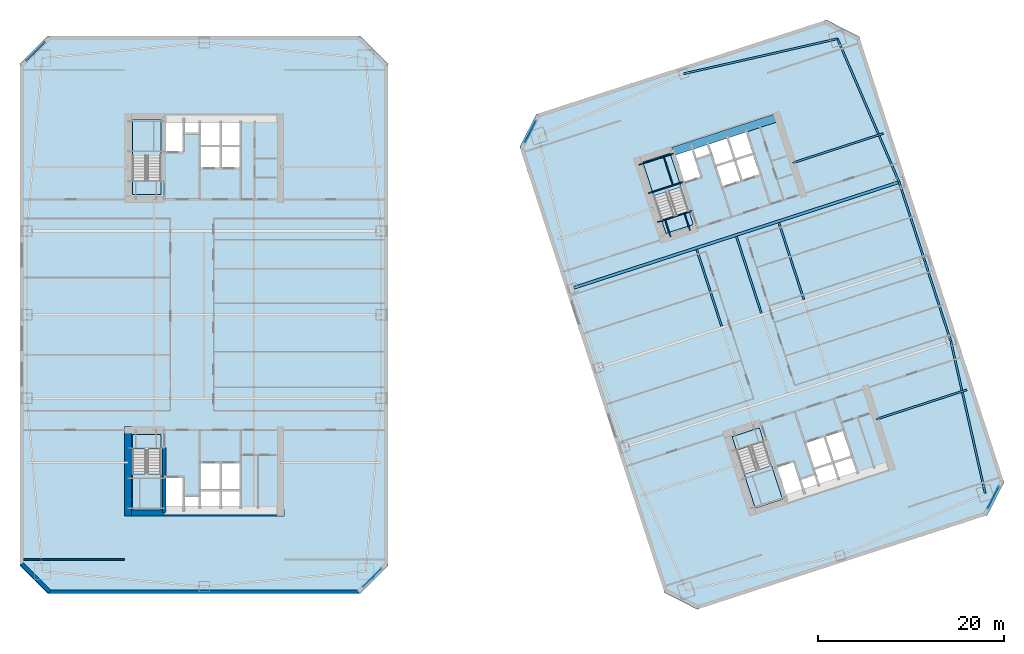
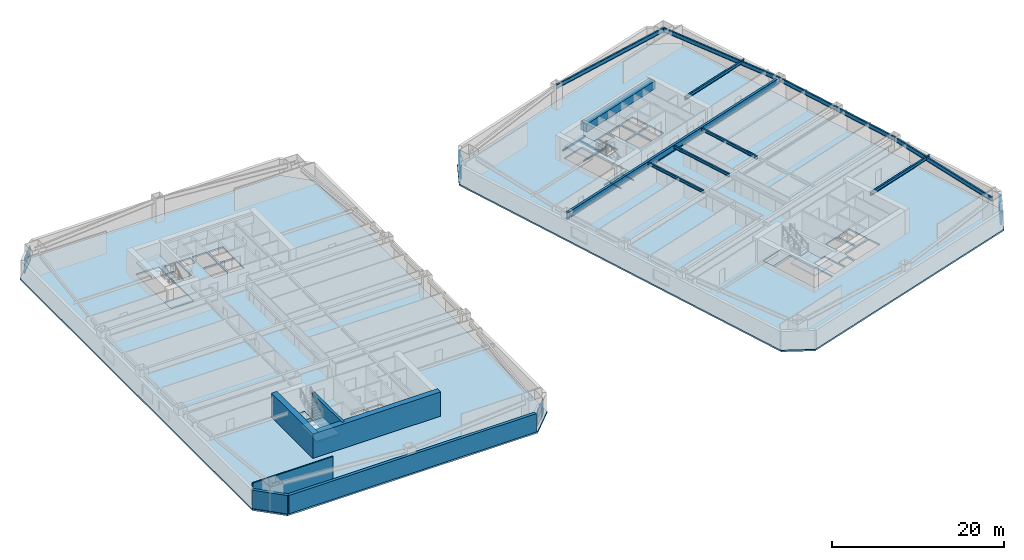
# One storey, part 9 of 19: 18 beams, 10 slabs, 8 plates, 6 walls, 8 elements without a shape of their own.
"""IFC4 building model written with IfcOpenShell, lengths in metres."""

import ifcopenshell
import ifcopenshell.guid

model = None  # the IFC model being written
_history = None  # IfcOwnerHistory: only IFC2X3 demands one
_inside = {}  # id of a spatial element -> (the spatial element, [elements in it])
_under = {}  # id of a project, library or spatial element -> (it, [spatial elements below it])
_declared = {}  # id of a project -> (the project, [libraries it declares])
_typed = {}  # id of a type object -> (the type object, [elements of that type])
_made_of = {}  # id of a material, layer set ... -> (it, [elements and type objects made of it])


def new_model(schema):
    """Start an empty IFC model of exactly this schema.

    Asked for "IFC4X3", IfcOpenShell would pick the latest addendum, in which some entities
    have other attributes; the version numbers below select the first issue.
    IFC2X3 requires an IfcOwnerHistory on every rooted entity: one is made here for all.
    """
    global model, _history
    if schema == "IFC4X3":
        model = ifcopenshell.file(schema_version=(4, 3, 0, 0))
    else:
        model = ifcopenshell.file(schema=schema)
    _inside.clear()
    _under.clear()
    _declared.clear()
    _typed.clear()
    _made_of.clear()
    _history = None
    if model.schema == "IFC2X3":
        org = make("IfcOrganization", Name="unknown")
        user = make(
            "IfcPersonAndOrganization",
            ThePerson=make("IfcPerson", FamilyName="unknown"),
            TheOrganization=org,
        )
        app = make(
            "IfcApplication",
            ApplicationDeveloper=org,
            Version="unknown",
            ApplicationFullName="unknown",
            ApplicationIdentifier="unknown",
        )
        _history = make(
            "IfcOwnerHistory",
            OwningUser=user,
            OwningApplication=app,
            ChangeAction="ADDED",
            CreationDate=0,
        )
    return model


def make(cls, **values):
    """One entity of the class cls with the attributes given. An attribute that is None is left unset."""
    return model.create_entity(
        cls, **{name: value for name, value in values.items() if value is not None}
    )


def rooted(cls, **values):
    """An entity with a GlobalId (a new one), such as an element, a storey or a relation."""
    return make(cls, GlobalId=ifcopenshell.guid.new(), OwnerHistory=_history, **values)


def si_unit(unit_type, name, prefix=None):
    """IfcSIUnit, for example si_unit("LENGTHUNIT", "METRE", prefix="MILLI")."""
    return make("IfcSIUnit", UnitType=unit_type, Prefix=prefix, Name=name)


def assignment(units):
    """IfcUnitAssignment: the units of a project."""
    return None if units is None else make("IfcUnitAssignment", Units=units)


def point(xyz):
    """IfcCartesianPoint."""
    return None if xyz is None else make("IfcCartesianPoint", Coordinates=xyz)


def direction(xyz):
    """IfcDirection."""
    return None if xyz is None else make("IfcDirection", DirectionRatios=xyz)


def frame(location, z_axis=None, x_axis=None):
    """IfcAxis2Placement3D, a coordinate frame: its origin and axes. An axis left out is left unset."""
    return make(
        "IfcAxis2Placement3D",
        Location=point(location),
        Axis=direction(z_axis),
        RefDirection=direction(x_axis),
    )


def frame_2d(location, x_axis=None):
    """IfcAxis2Placement2D, a coordinate frame in the plane: its origin and x axis."""
    return make(
        "IfcAxis2Placement2D", Location=point(location), RefDirection=direction(x_axis)
    )


def origin():
    """The frame at (0, 0, 0) with its axes left unset."""
    return frame((0.0, 0.0, 0.0))


def origin_2d():
    """The frame at (0, 0) in the plane with its x axis left unset."""
    return frame_2d((0.0, 0.0))


def place(relative_to, where):
    """IfcLocalPlacement: puts the frame where relative to a parent placement (None: the world)."""
    return make(
        "IfcLocalPlacement", PlacementRelTo=relative_to, RelativePlacement=where
    )


def context(
    kind, dimensions, precision=None, world=None, true_north=None, identifier=None
):
    """IfcGeometricRepresentationContext, for example the 3D "Model" context."""
    return make(
        "IfcGeometricRepresentationContext",
        ContextIdentifier=identifier,
        ContextType=kind,
        CoordinateSpaceDimension=dimensions,
        Precision=precision,
        WorldCoordinateSystem=world,
        TrueNorth=true_north,
    )


def subcontext(parent, identifier, kind, view, scale=None):
    """IfcGeometricRepresentationSubContext, for example "Body" below "Model"."""
    return make(
        "IfcGeometricRepresentationSubContext",
        ContextIdentifier=identifier,
        ContextType=kind,
        ParentContext=parent,
        TargetScale=scale,
        TargetView=view,
    )


def project(units=None, contexts=None):
    """IfcProject with its units and contexts."""
    return rooted(
        "IfcProject",
        Name="project",
        RepresentationContexts=contexts,
        UnitsInContext=assignment(units),
    )


def spatial(cls, under=None, at=None, **own):
    """A site, building, storey or space (cls), placed at a placement, below another one or the project."""
    s = rooted(cls, ObjectPlacement=at, **own)
    if under is not None:
        _under.setdefault(under.id(), (under, []))[1].append(s)
    return s


def polyline(points):
    """IfcPolyline through the points."""
    return make("IfcPolyline", Points=[point(p) for p in points])


def profile(cls, at=None, kind="AREA", **sizes):
    """A parametric profile (cls). Its sizes go by their IFC names, for example OverallWidth=200.0."""
    return make(cls, ProfileType=kind, Position=at, **sizes)


def rectangle(**sizes):
    """IfcRectangleProfileDef."""
    return profile("IfcRectangleProfileDef", **sizes)


def i_section(**sizes):
    """IfcIShapeProfileDef."""
    return profile("IfcIShapeProfileDef", **sizes)


def outline(outer, holes=None, kind="AREA"):
    """IfcArbitraryClosedProfileDef: a profile drawn as a closed curve; with holes, ...WithVoids."""
    if holes is None:
        return make("IfcArbitraryClosedProfileDef", ProfileType=kind, OuterCurve=outer)
    return make(
        "IfcArbitraryProfileDefWithVoids",
        ProfileType=kind,
        OuterCurve=outer,
        InnerCurves=holes,
    )


def extrude(swept, where, along, depth):
    """IfcExtrudedAreaSolid: the profile swept, set in the frame where, extruded along a direction by depth."""
    return make(
        "IfcExtrudedAreaSolid",
        SweptArea=swept,
        Position=where,
        ExtrudedDirection=direction(along),
        Depth=depth,
    )


def shape(context_of_items, identifier, shape_type, items):
    """IfcShapeRepresentation: the items that make up one representation, for example the "Body"."""
    return make(
        "IfcShapeRepresentation",
        ContextOfItems=context_of_items,
        RepresentationIdentifier=identifier,
        RepresentationType=shape_type,
        Items=items,
    )


def material(Name=None, Category=None):
    """IfcMaterial."""
    return make("IfcMaterial", Name=Name, Category=Category)


def layer(
    of_material, thickness, ventilated=None, Name=None, Category=None, Priority=None
):
    """IfcMaterialLayer: one layer of a wall or slab, of a material (None: an air gap)."""
    return make(
        "IfcMaterialLayer",
        Material=of_material,
        LayerThickness=thickness,
        IsVentilated=ventilated,
        Name=Name,
        Category=Category,
        Priority=Priority,
    )


def layer_set(layers, Name=None):
    """IfcMaterialLayerSet."""
    return make("IfcMaterialLayerSet", MaterialLayers=layers, LayerSetName=Name)


def material_profile(
    of_material, cross_section, Name=None, Category=None, Priority=None
):
    """IfcMaterialProfile: a cross section and its material."""
    return make(
        "IfcMaterialProfile",
        Name=Name,
        Material=of_material,
        Profile=cross_section,
        Priority=Priority,
        Category=Category,
    )


def profile_set(profiles, Name=None, composite=None):
    """IfcMaterialProfileSet."""
    return make(
        "IfcMaterialProfileSet",
        Name=Name,
        MaterialProfiles=profiles,
        CompositeProfile=composite,
    )


def made_of(thing, what):
    """Note that an element or type object is made of a material, layer set ...; save() writes the relation."""
    if what is not None:
        _made_of.setdefault(what.id(), (what, []))[1].append(thing)
    return thing


def type_object(cls, material=None, **own):
    """A type object (cls), such as IfcWallType, which elements share."""
    return made_of(rooted(cls, **own), material)


def element(
    cls,
    number,
    at=None,
    inside=None,
    cuts=None,
    type_object=None,
    material=None,
    context=None,
    identifier="Body",
    shape_type=None,
    held_by="IfcProductDefinitionShape",
    body=None,
    shapes=None,
    **own,
):
    """One element of the class cls, such as IfcWall. Its Tag is "e" and its number.

    at: its placement. inside: the storey or other place that contains it. cuts: it is an
    opening in that element (IfcRelVoidsElement). A single representation is given by context,
    identifier, shape_type and body (its items); several are given by shapes. held_by: the class
    of the entity that holds the representations. save() writes the other relations.
    """
    e = rooted(cls, Tag="e%d" % number, ObjectPlacement=at, **own)
    if body is not None:
        shapes = [shape(context, identifier, shape_type, body)]
    if shapes is not None:
        e.Representation = make(held_by, Representations=shapes)
    if inside is not None:
        _inside.setdefault(inside.id(), (inside, []))[1].append(e)
    if cuts is not None:
        rooted(
            "IfcRelVoidsElement", RelatingBuildingElement=cuts, RelatedOpeningElement=e
        )
    if type_object is not None:
        _typed.setdefault(type_object.id(), (type_object, []))[1].append(e)
    return made_of(e, material)


def aggregate(whole, parts):
    """IfcRelAggregates: a whole, such as a stair, and the parts it consists of."""
    return rooted("IfcRelAggregates", RelatingObject=whole, RelatedObjects=parts)


def save(model, path):
    """Write the relations noted so far, then the file.

    IfcRelAggregates (storeys below a building ...), IfcRelContainedInSpatialStructure (elements
    in a storey), IfcRelDefinesByType, IfcRelAssociatesMaterial and IfcRelDeclares: one each for
    every whole, place, type object, material and project.
    """
    for whole, parts in _under.values():
        aggregate(whole, parts)
    for where, things in _inside.values():
        rooted(
            "IfcRelContainedInSpatialStructure",
            RelatedElements=things,
            RelatingStructure=where,
        )
    for kind, things in _typed.values():
        rooted("IfcRelDefinesByType", RelatedObjects=things, RelatingType=kind)
    for what, things in _made_of.values():
        rooted("IfcRelAssociatesMaterial", RelatedObjects=things, RelatingMaterial=what)
    for by, libraries in _declared.values():
        rooted("IfcRelDeclares", RelatingContext=by, RelatedDefinitions=libraries)
    model.write(path)


model = new_model("IFC4")

# Units and contexts
model_context = context("Model", 3, precision=1e-05, world=origin(), true_north=direction((0.0, 1.0)))
body_context = subcontext(model_context, "Body", "Model", "MODEL_VIEW")
ifc_project = project(units=[si_unit("LENGTHUNIT", "METRE"), si_unit("AREAUNIT", "SQUARE_METRE"), si_unit("VOLUMEUNIT", "CUBIC_METRE"), si_unit("PLANEANGLEUNIT", "RADIAN"), si_unit("MASSUNIT", "GRAM", prefix="KILO")], contexts=[model_context])

# Site, building, storey
site_placement = place(None, origin())
site = spatial("IfcSite", under=ifc_project, at=site_placement, CompositionType="ELEMENT")
building_placement = place(site_placement, origin())
building = spatial("IfcBuilding", under=site, at=building_placement, Name="Qiaolan Cultural Towers", CompositionType="ELEMENT")
storey_placement = place(building_placement, frame((0.0, 0.0, 54.050048828125)))
storey = spatial("IfcBuildingStorey", under=building, at=storey_placement, Name="L12", CompositionType="ELEMENT", Elevation=54.050048828125)

# Beams
ifc_material_1 = material(Name="Steel Q355B", Category="steel")
ifc_material_profile_1 = material_profile(ifc_material_1, i_section(OverallWidth=0.300048828125, OverallDepth=0.89990234375, WebThickness=0.01611328125, FlangeThickness=0.028076171875, at=origin_2d()), Name="HN900x300x16x28")
ifc_profile_set_1 = profile_set([ifc_material_profile_1], Name="Steel Q355B")
beam_type_1 = type_object("IfcBeamType", Name="BM-HN900x300x16x28", PredefinedType="BEAM", material=ifc_profile_set_1)
beam_1_placement = place(storey_placement, frame((69.671875, 36.858154296875, 2.739990234375), z_axis=(0.951055702987, 0.309019497469, 0.0), x_axis=(-0.309019497469, 0.951055702987, 0.0)))
element("IfcBeam", 1, at=beam_1_placement, inside=storey, type_object=beam_type_1, Name="L12 T2 Primary Transverse Girder V3", PredefinedType="BEAM", context=body_context, shape_type="SweptSolid", body=[
    extrude(i_section(OverallWidth=0.300048828125, OverallDepth=0.89990234375, WebThickness=0.01611328125, FlangeThickness=0.028076171875, at=origin_2d()), origin(), (0.0, 0.0, 1.0), 36.900146484375),
])
ifc_material_2 = material(Name="Steel Q355B", Category="steel")
ifc_material_profile_2 = material_profile(ifc_material_2, i_section(OverallWidth=0.199951171875, OverallDepth=0.39990234375, WebThickness=0.008056640625, FlangeThickness=0.012939453125, at=origin_2d()), Name="HN400x200x8x13")
ifc_profile_set_2 = profile_set([ifc_material_profile_2], Name="Steel Q355B")
beam_type_2 = type_object("IfcBeamType", Name="BM-JST-HN400x200x8x13", PredefinedType="JOIST", material=ifc_profile_set_2)
for number, where, z_axis, x_axis, name in (
    (2, (85.673828125, 32.752197265625, 2.989990234375), (-0.309020714809, 0.951055307445, 0.0), (-0.951055307445, -0.309020714809, 0.0), "L12 T2 Secondary Floor Joist U1-3"),
    (3, (89.95361328125, 34.142578125, 2.989990234375), (-0.309020714809, 0.951055307445, 0.0), (-0.951055307445, -0.309020714809, 0.0), "L12 T2 Secondary Floor Joist U2-3"),
    (4, (94.518798828125, 35.6259765625, 2.989990234375), (-0.309020714809, 0.951055307445, 0.0), (-0.951055307445, -0.309020714809, 0.0), "L12 T2 Secondary Floor Joist U3-3"),
):
    element("IfcBeam", number, at=place(storey_placement, frame(where, z_axis=z_axis, x_axis=x_axis)), inside=storey, type_object=beam_type_2, Name=name, PredefinedType="JOIST", context=body_context, shape_type="SweptSolid", body=[
        extrude(i_section(OverallWidth=0.199951171875, OverallDepth=0.39990234375, WebThickness=0.008056640625, FlangeThickness=0.012939453125, at=origin_2d()), origin(), (0.0, 0.0, 1.0), 8.699951171875),
    ])
ifc_material_3 = material(Name="Steel Q355B", Category="steel")
ifc_material_profile_3 = material_profile(ifc_material_3, i_section(OverallWidth=0.199951171875, OverallDepth=0.449951171875, WebThickness=0.009033203125, FlangeThickness=0.013916015625, at=origin_2d()), Name="HN450x200x9x14")
ifc_profile_set_3 = profile_set([ifc_material_profile_3], Name="Steel Q355B")
beam_type_3 = type_object("IfcBeamType", Name="BM-LNT-HN450x200x9x14", PredefinedType="LINTEL", material=ifc_profile_set_3)
beam_2_placement = place(storey_placement, frame((102.279296875, 22.74365234375, 2.96484375), z_axis=(0.951056820587, 0.309016057859, 0.0), x_axis=(-0.309016057859, 0.951056820587, 0.0)))
element("IfcBeam", 5, at=beam_2_placement, inside=storey, type_object=beam_type_3, Name="L12 T2 Core Flank Tie Lintel ES", PredefinedType="LINTEL", context=body_context, shape_type="SweptSolid", body=[
    extrude(i_section(OverallWidth=0.199951171875, OverallDepth=0.449951171875, WebThickness=0.009033203125, FlangeThickness=0.013916015625, at=origin_2d()), origin(), (0.0, 0.0, 1.0), 10.250244140625),
])
beam_3_placement = place(storey_placement, frame((93.31787109375, 50.32421875, 2.96484375), z_axis=(0.951054546097, 0.309023057955, 0.0), x_axis=(-0.309023057955, 0.951054546097, 0.0)))
element("IfcBeam", 6, at=beam_3_placement, inside=storey, type_object=beam_type_3, Name="L12 T2 Core Flank Tie Lintel EN", PredefinedType="LINTEL", context=body_context, shape_type="SweptSolid", body=[
    extrude(i_section(OverallWidth=0.199951171875, OverallDepth=0.449951171875, WebThickness=0.009033203125, FlangeThickness=0.013916015625, at=origin_2d()), origin(), (0.0, 0.0, 1.0), 10.25),
])
ifc_material_4 = material(Name="Concrete C50", Category="concrete")
ifc_material_profile_4 = material_profile(ifc_material_4, rectangle(XDim=0.89990234375, YDim=1.10009765625, at=origin_2d()), Name="RC900x1100")
ifc_profile_set_4 = profile_set([ifc_material_profile_4], Name="Concrete C50")
beam_type_4 = type_object("IfcBeamType", Name="BM-RC900x1100", PredefinedType="BEAM", material=ifc_profile_set_4)
beam_4_placement = place(storey_placement, frame((80.427978515625, 51.551025390625, 2.639892578125), z_axis=(0.951056266386, 0.309017763514, 0.0), x_axis=(-0.309017763514, 0.951056266386, 0.0)))
element("IfcBeam", 7, at=beam_4_placement, inside=storey, type_object=beam_type_4, Name="L12 T2 Core Header Girder N", PredefinedType="BEAM", context=body_context, shape_type="SweptSolid", body=[
    extrude(rectangle(XDim=0.89990234375, YDim=1.10009765625, at=origin_2d()), origin(), (0.0, 0.0, 1.0), 11.880126953125),
])
ifc_material_5 = material(Name="Steel Q355B", Category="steel")
ifc_material_profile_5 = material_profile(ifc_material_5, i_section(OverallWidth=0.199951171875, OverallDepth=0.60009765625, WebThickness=0.010986328125, FlangeThickness=0.01708984375, at=origin_2d()), Name="HN600x200x11x17")
ifc_profile_set_5 = profile_set([ifc_material_profile_5], Name="Steel Q355B")
beam_type_5 = type_object("IfcBeamType", Name="BM-SPD-HN600x200x11x17", PredefinedType="SPANDREL", material=ifc_profile_set_5)
beam_5_placement = place(storey_placement, frame((114.027099609375, 14.77392578125, 2.889892578125), z_axis=(-0.220430557386, 0.975402670373, 0.0), x_axis=(-0.975402670373, -0.220430557386, 0.0)))
element("IfcBeam", 8, at=beam_5_placement, inside=storey, type_object=beam_type_5, Name="L12 T2 Perimeter Spandrel Beam 3", PredefinedType="SPANDREL", context=body_context, shape_type="SweptSolid", body=[
    extrude(i_section(OverallWidth=0.199951171875, OverallDepth=0.60009765625, WebThickness=0.010986328125, FlangeThickness=0.01708984375, at=origin_2d()), origin(), (0.0, 0.0, 1.0), 16.78076171875),
])
for number, where, z_axis, x_axis, name in (
    (9, (110.328125, 31.141845703125, 2.889892578125), (-0.309024734286, 0.951054001411, 0.0), (-0.951054001411, -0.309024734286, 0.0), "L12 T2 Perimeter Spandrel Beam 4"),
    (10, (107.546875, 39.701416015625, 2.889892578125), (-0.309000197986, 0.951061973609, 0.0), (-0.951061973609, -0.309000197986, 0.0), "L12 T2 Perimeter Spandrel Beam 5"),
):
    element("IfcBeam", number, at=place(storey_placement, frame(where, z_axis=z_axis, x_axis=x_axis)), inside=storey, type_object=beam_type_5, Name=name, PredefinedType="SPANDREL", context=body_context, shape_type="SweptSolid", body=[
        extrude(i_section(OverallWidth=0.199951171875, OverallDepth=0.60009765625, WebThickness=0.010986328125, FlangeThickness=0.01708984375, at=origin_2d()), origin(), (0.0, 0.0, 1.0), 9.0),
    ])
beam_6_placement = place(storey_placement, frame((104.765869140625, 48.260986328125, 2.889892578125), z_axis=(-0.394998896054, 0.918681594524, 0.0), x_axis=(-0.918681594524, -0.394998896054, 0.0)))
element("IfcBeam", 11, at=beam_6_placement, inside=storey, type_object=beam_type_5, Name="L12 T2 Perimeter Spandrel Beam 6", PredefinedType="SPANDREL", context=body_context, shape_type="SweptSolid", body=[
    extrude(i_section(OverallWidth=0.199951171875, OverallDepth=0.60009765625, WebThickness=0.010986328125, FlangeThickness=0.01708984375, at=origin_2d()), origin(), (0.0, 0.0, 1.0), 16.78076171875),
])
beam_7_placement = place(storey_placement, frame((98.137451171875, 63.67724609375, 2.889892578125), z_axis=(-0.975161095889, -0.221496810506, 0.0), x_axis=(0.221496810506, -0.975161095889, 0.0)))
element("IfcBeam", 12, at=beam_7_placement, inside=storey, type_object=beam_type_5, Name="L12 T2 Perimeter Spandrel Beam 7", PredefinedType="SPANDREL", context=body_context, shape_type="SweptSolid", body=[
    extrude(i_section(OverallWidth=0.199951171875, OverallDepth=0.60009765625, WebThickness=0.010986328125, FlangeThickness=0.01708984375, at=origin_2d()), origin(), (0.0, 0.0, 1.0), 16.97998046875),
])
ifc_material_6 = material(Name="Steel Q355B", Category="steel")
ifc_material_profile_6 = material_profile(ifc_material_6, i_section(OverallWidth=0.10009765625, OverallDepth=0.199951171875, WebThickness=0.005615234375, FlangeThickness=0.008056640625, at=origin_2d()), Name="HN200x100x5.5x8")
ifc_profile_set_6 = profile_set([ifc_material_profile_6], Name="Steel Q355B")
beam_type_6 = type_object("IfcBeamType", Name="BM-STTRIM-200", PredefinedType="BEAM", material=ifc_profile_set_6)
beam_8_placement = place(storey_placement, frame((78.773193359375, 43.958251953125, -0.4599609375), z_axis=(0.951072048947, 0.3089691857, 0.0), x_axis=(-0.3089691857, 0.951072048947, 0.0)))
element("IfcBeam", 13, at=beam_8_placement, inside=storey, type_object=beam_type_6, Name="L12 ST-E2 Floor Landing Header Beam", PredefinedType="BEAM", context=body_context, shape_type="SweptSolid", body=[
    extrude(i_section(OverallWidth=0.10009765625, OverallDepth=0.199951171875, WebThickness=0.005615234375, FlangeThickness=0.008056640625, at=origin_2d()), origin(), (0.0, 0.0, 1.0), 3.920166015625),
])
for number, where, z_axis, x_axis, name in (
    (14, (80.18115234375, 42.375732421875, -0.4599609375), (-0.308969394428, 0.951071981138, 0.0), (-0.951071981138, -0.308969394428, 0.0), "L12 ST-E2 Floor Landing Stringer 1"),
    (15, (82.2734375, 43.0556640625, -0.4599609375), (-0.308969394428, 0.951071981138, 0.0), (-0.951071981138, -0.308969394428, 0.0), "L12 ST-E2 Floor Landing Stringer 2"),
):
    element("IfcBeam", number, at=place(storey_placement, frame(where, z_axis=z_axis, x_axis=x_axis)), inside=storey, type_object=beam_type_6, Name=name, PredefinedType="BEAM", context=body_context, shape_type="SweptSolid", body=[
        extrude(i_section(OverallWidth=0.10009765625, OverallDepth=0.199951171875, WebThickness=0.005615234375, FlangeThickness=0.008056640625, at=origin_2d()), origin(), (0.0, 0.0, 1.0), 1.93994140625),
    ])
for number, where, z_axis, x_axis, name in (
    (16, (77.769287109375, 47.0478515625, 1.425048828125), (0.951053746643, 0.309025518358, 0.0), (-0.309025518358, 0.951053746643, 0.0), "L12 ST-E2 Stair Landing Support Beam 1-1"),
    (17, (76.770751953125, 50.12109375, 1.425048828125), (0.951072048947, 0.3089691857, 0.0), (-0.3089691857, 0.951072048947, 0.0), "L12 ST-E2 Stair Landing Support Beam 1-2"),
):
    element("IfcBeam", number, at=place(storey_placement, frame(where, z_axis=z_axis, x_axis=x_axis)), inside=storey, type_object=beam_type_6, Name=name, PredefinedType="BEAM", context=body_context, shape_type="SweptSolid", body=[
        extrude(i_section(OverallWidth=0.10009765625, OverallDepth=0.199951171875, WebThickness=0.005615234375, FlangeThickness=0.008056640625, at=origin_2d()), origin(), (0.0, 0.0, 1.0), 3.920166015625),
    ])
beam_9_placement = place(storey_placement, frame((80.44189453125, 47.916259765625, 1.425048828125), z_axis=(-0.309033108495, 0.951051280349, 0.0), x_axis=(-0.951051280349, -0.309033108495, 0.0)))
element("IfcBeam", 18, at=beam_9_placement, inside=storey, type_object=beam_type_6, Name="L12 ST-E2 Stair Landing Trimmer 1", PredefinedType="BEAM", context=body_context, shape_type="SweptSolid", body=[
    extrude(i_section(OverallWidth=0.10009765625, OverallDepth=0.199951171875, WebThickness=0.005615234375, FlangeThickness=0.008056640625, at=origin_2d()), origin(), (0.0, 0.0, 1.0), 3.231201171875),
])

# Curtain wall, plates
ifc_material_7 = material(Name="Unitized Anodized Aluminium Curtain Wall System", Category="aluminium")
ifc_layer_1 = layer(ifc_material_7, 0.199951171875)
ifc_layer_set_1 = layer_set([ifc_layer_1], Name="Unitized Anodized Aluminium Curtain Wall System")
curtain_wall_type = type_object("IfcCurtainWallType", Name="CWS-02", PredefinedType="NOTDEFINED", material=ifc_layer_set_1)
curtain_wall_1_placement = place(storey_placement, origin())
curtain_wall_1 = element("IfcCurtainWall", 19, at=curtain_wall_1_placement, inside=storey, type_object=curtain_wall_type, Name="L12 T1 Chamfer Wind-Corner Feature Curtain Wall 1", PredefinedType="NOTDEFINED")
ifc_material_8 = material(Name="Laminated Low-E Insulating Glass Unit", Category="glass")
ifc_layer_2 = layer(ifc_material_8, 0.035888671875)
ifc_layer_set_2 = layer_set([ifc_layer_2], Name="Laminated Low-E Insulating Glass Unit")
plate_type = type_object("IfcPlateType", Name="CWS-02-PNL", PredefinedType="CURTAIN_PANEL", material=ifc_layer_set_2)
plate_1_placement = place(storey_placement, frame((11.89990234375, 62.300048828125, 0.215087890625), z_axis=(0.0, 0.0, 1.0), x_axis=(0.707106781187, 0.707106781187, 0.0)))
plate_1 = element("IfcPlate", 20, at=plate_1_placement, type_object=plate_type, Name="CW-2 panel 1.1", PredefinedType="CURTAIN_PANEL", context=body_context, shape_type="SweptSolid", body=[
    extrude(rectangle(XDim=2.735107421875, YDim=0.035888671875, at=origin_2d()), origin(), (0.0, 0.0, 1.0), 1.00244140625),
])
plate_2_placement = place(storey_placement, frame((11.89990234375, 62.300048828125, 1.282470703125), z_axis=(0.0, 0.0, 1.0), x_axis=(0.707106781187, 0.707106781187, 0.0)))
plate_2 = element("IfcPlate", 21, at=plate_2_placement, type_object=plate_type, Name="CW-2 panel 1.2", PredefinedType="CURTAIN_PANEL", context=body_context, shape_type="SweptSolid", body=[
    extrude(rectangle(XDim=2.735107421875, YDim=0.035888671875, at=origin_2d()), origin(), (0.0, 0.0, 1.0), 1.16259765625),
])
aggregate(curtain_wall_1, [plate_1, plate_2])

curtain_wall_2_placement = place(storey_placement, origin())
curtain_wall_2 = element("IfcCurtainWall", 22, at=curtain_wall_2_placement, inside=storey, type_object=curtain_wall_type, Name="L12 T1 Chamfer Wind-Corner Feature Curtain Wall 2", PredefinedType="NOTDEFINED")
plate_3_placement = place(storey_placement, frame((48.10009765625, 5.699951171875, 0.215087890625), z_axis=(0.0, 0.0, 1.0), x_axis=(-0.707106781187, -0.707106781187, 0.0)))
plate_3 = element("IfcPlate", 23, at=plate_3_placement, type_object=plate_type, Name="CW-2 panel 1.1", PredefinedType="CURTAIN_PANEL", context=body_context, shape_type="SweptSolid", body=[
    extrude(rectangle(XDim=2.735107421875, YDim=0.035888671875, at=origin_2d()), origin(), (0.0, 0.0, 1.0), 1.00244140625),
])
plate_4_placement = place(storey_placement, frame((48.10009765625, 5.699951171875, 1.282470703125), z_axis=(0.0, 0.0, 1.0), x_axis=(-0.707106781187, -0.707106781187, 0.0)))
plate_4 = element("IfcPlate", 24, at=plate_4_placement, type_object=plate_type, Name="CW-2 panel 1.2", PredefinedType="CURTAIN_PANEL", context=body_context, shape_type="SweptSolid", body=[
    extrude(rectangle(XDim=2.735107421875, YDim=0.035888671875, at=origin_2d()), origin(), (0.0, 0.0, 1.0), 1.16259765625),
])
aggregate(curtain_wall_2, [plate_3, plate_4])

curtain_wall_3_placement = place(storey_placement, origin())
curtain_wall_3 = element("IfcCurtainWall", 25, at=curtain_wall_3_placement, inside=storey, type_object=curtain_wall_type, Name="L12 T2 Chamfer Wind-Corner Feature Curtain Wall 1", PredefinedType="NOTDEFINED")
plate_5_placement = place(storey_placement, frame((65.103271484375, 53.669189453125, 0.215087890625), z_axis=(0.0, 0.0, 1.0), x_axis=(0.45399042074, 0.89100656444, 0.0)))
plate_5 = element("IfcPlate", 26, at=plate_5_placement, type_object=plate_type, Name="CW-2 panel 1.1", PredefinedType="CURTAIN_PANEL", context=body_context, shape_type="SweptSolid", body=[
    extrude(rectangle(XDim=2.542724609375, YDim=0.035888671875, at=origin_2d()), origin(), (0.0, 0.0, 1.0), 1.00244140625),
])
plate_6_placement = place(storey_placement, frame((65.103271484375, 53.669189453125, 1.282470703125), z_axis=(0.0, 0.0, 1.0), x_axis=(0.45399042074, 0.89100656444, 0.0)))
plate_6 = element("IfcPlate", 27, at=plate_6_placement, type_object=plate_type, Name="CW-2 panel 1.2", PredefinedType="CURTAIN_PANEL", context=body_context, shape_type="SweptSolid", body=[
    extrude(rectangle(XDim=2.542724609375, YDim=0.035888671875, at=origin_2d()), origin(), (0.0, 0.0, 1.0), 1.16259765625),
])
aggregate(curtain_wall_3, [plate_5, plate_6])

curtain_wall_4_placement = place(storey_placement, origin())
curtain_wall_4 = element("IfcCurtainWall", 28, at=curtain_wall_4_placement, inside=storey, type_object=curtain_wall_type, Name="L12 T2 Chamfer Wind-Corner Feature Curtain Wall 2", PredefinedType="NOTDEFINED")
plate_7_placement = place(storey_placement, frame((114.896728515625, 14.330810546875, 0.215087890625), z_axis=(0.0, 0.0, 1.0), x_axis=(-0.45399042074, -0.89100656444, 0.0)))
plate_7 = element("IfcPlate", 29, at=plate_7_placement, type_object=plate_type, Name="CW-2 panel 1.1", PredefinedType="CURTAIN_PANEL", context=body_context, shape_type="SweptSolid", body=[
    extrude(rectangle(XDim=2.542724609375, YDim=0.035888671875, at=origin_2d()), origin(), (0.0, 0.0, 1.0), 1.00244140625),
])
plate_8_placement = place(storey_placement, frame((114.896728515625, 14.330810546875, 1.282470703125), z_axis=(0.0, 0.0, 1.0), x_axis=(-0.45399042074, -0.89100656444, 0.0)))
plate_8 = element("IfcPlate", 30, at=plate_8_placement, type_object=plate_type, Name="CW-2 panel 1.2", PredefinedType="CURTAIN_PANEL", context=body_context, shape_type="SweptSolid", body=[
    extrude(rectangle(XDim=2.542724609375, YDim=0.035888671875, at=origin_2d()), origin(), (0.0, 0.0, 1.0), 1.16259765625),
])
aggregate(curtain_wall_4, [plate_7, plate_8])

# Stair, slab
ifc_material_9 = material(Name="Concrete C45", Category="concrete")
stair_type = type_object("IfcStairType", Name="STR-CORE-1500", PredefinedType="HALF_TURN_STAIR", material=ifc_material_9)
stair_1_placement = place(storey_placement, origin())
stair_1 = element("IfcStair", 31, at=stair_1_placement, inside=storey, type_object=stair_type, Name="L12 Smokeproof Exit Stair ST-W1", PredefinedType="HALF_TURN_STAIR")
ifc_material_10 = material(Name="Concrete C45", Category="concrete")
ifc_layer_3 = layer(ifc_material_10, 0.199951171875)
ifc_layer_set_3 = layer_set([ifc_layer_3], Name="Concrete C45")
slab_type_1 = type_object("IfcSlabType", Name="SL-STAIR-LAND", PredefinedType="LANDING", material=ifc_layer_set_3)
slab_1_placement = place(storey_placement, frame((0.0, 0.0, 1.52490234375)))
slab_1 = element("IfcSlab", 32, at=slab_1_placement, type_object=slab_type_1, Name="ST-W1 landing 1", PredefinedType="LANDING", context=body_context, shape_type="SweptSolid", body=[
    extrude(outline(polyline([(22.300048828125, 16.851318359375), (22.300048828125, 13.0), (25.3798828125, 13.0), (25.3798828125, 16.851318359375), (22.300048828125, 16.851318359375)])), origin(), (0.0, 0.0, 1.0), 0.199951171875),
])
aggregate(stair_1, [slab_1])

stair_2_placement = place(storey_placement, origin())
stair_2 = element("IfcStair", 33, at=stair_2_placement, inside=storey, type_object=stair_type, Name="L12 Smokeproof Exit Stair ST-W2", PredefinedType="HALF_TURN_STAIR")
slab_2_placement = place(storey_placement, frame((0.0, 0.0, 1.52490234375)))
slab_2 = element("IfcSlab", 34, at=slab_2_placement, type_object=slab_type_1, Name="ST-W2 landing 1", PredefinedType="LANDING", context=body_context, shape_type="SweptSolid", body=[
    extrude(outline(polyline([(25.3798828125, 51.148681640625), (25.3798828125, 55.0), (22.300048828125, 55.0), (22.300048828125, 51.148681640625), (25.3798828125, 51.148681640625)])), origin(), (0.0, 0.0, 1.0), 0.199951171875),
])
aggregate(stair_2, [slab_2])

stair_3_placement = place(storey_placement, origin())
stair_3 = element("IfcStair", 35, at=stair_3_placement, inside=storey, type_object=stair_type, Name="L12 Smokeproof Exit Stair ST-E1", PredefinedType="HALF_TURN_STAIR")
slab_3_placement = place(storey_placement, frame((0.0, 0.0, 1.52490234375)))
slab_3 = element("IfcSlab", 36, at=slab_3_placement, type_object=slab_type_1, Name="ST-E1 landing 1", PredefinedType="LANDING", context=body_context, shape_type="SweptSolid", body=[
    extrude(outline(polyline([(88.114013671875, 16.828125), (89.30419921875, 13.165283203125), (92.2333984375, 14.116943359375), (91.04345703125, 17.77978515625), (88.114013671875, 16.828125)])), origin(), (0.0, 0.0, 1.0), 0.199951171875),
])
aggregate(stair_3, [slab_3])

stair_4_placement = place(storey_placement, origin())
stair_4 = element("IfcStair", 37, at=stair_4_placement, inside=storey, type_object=stair_type, Name="L12 Smokeproof Exit Stair ST-E2", PredefinedType="HALF_TURN_STAIR")
slab_4_placement = place(storey_placement, frame((0.0, 0.0, 1.52490234375)))
slab_4 = element("IfcSlab", 38, at=slab_4_placement, type_object=slab_type_1, Name="ST-E2 landing 1", PredefinedType="LANDING", context=body_context, shape_type="SweptSolid", body=[
    extrude(outline(polyline([(81.31005859375, 47.735595703125), (80.1201171875, 51.3984375), (77.190673828125, 50.44677734375), (78.380859375, 46.783935546875), (81.31005859375, 47.735595703125)])), origin(), (0.0, 0.0, 1.0), 0.199951171875),
])
aggregate(stair_4, [slab_4])

# Slabs
ifc_material_11 = material(Name="Concrete C40", Category="concrete")
ifc_layer_4 = layer(ifc_material_11, 0.360107421875)
ifc_layer_set_4 = layer_set([ifc_layer_4], Name="Concrete C40")
slab_type_2 = type_object("IfcSlabType", Name="SL-STFLR-360", PredefinedType="LANDING", material=ifc_layer_set_4)
slab_5_placement = place(storey_placement, frame((0.0, 0.0, -0.360107421875)))
element("IfcSlab", 39, at=slab_5_placement, inside=storey, type_object=slab_type_2, Name="L12 ST-W1 Stair Floor Landing Slab", PredefinedType="LANDING", context=body_context, shape_type="SweptSolid", body=[
    extrude(outline(polyline([(22.302001953125, 21.097900390625), (22.302001953125, 19.548583984375), (25.3779296875, 19.548583984375), (25.3779296875, 21.097900390625), (22.302001953125, 21.097900390625)])), origin(), (0.0, 0.0, 1.0), 0.360107421875),
])
slab_6_placement = place(storey_placement, frame((0.0, 0.0, -0.360107421875)))
element("IfcSlab", 40, at=slab_6_placement, inside=storey, type_object=slab_type_2, Name="L12 ST-W2 Stair Floor Landing Slab", PredefinedType="LANDING", context=body_context, shape_type="SweptSolid", body=[
    extrude(outline(polyline([(25.3779296875, 46.902099609375), (25.3779296875, 48.451416015625), (22.302001953125, 48.451416015625), (22.302001953125, 46.902099609375), (25.3779296875, 46.902099609375)])), origin(), (0.0, 0.0, 1.0), 0.360107421875),
])
slab_7_placement = place(storey_placement, frame((0.0, 0.0, -0.360107421875)))
element("IfcSlab", 41, at=slab_7_placement, inside=storey, type_object=slab_type_2, Name="L12 ST-E1 Stair Floor Landing Slab", PredefinedType="LANDING", context=body_context, shape_type="SweptSolid", body=[
    extrude(outline(polyline([(86.8037109375, 20.867431640625), (87.282470703125, 19.39404296875), (90.2080078125, 20.3447265625), (89.729248046875, 21.818115234375), (86.8037109375, 20.867431640625)])), origin(), (0.0, 0.0, 1.0), 0.360107421875),
])
slab_8_placement = place(storey_placement, frame((0.0, 0.0, -0.360107421875)))
element("IfcSlab", 42, at=slab_8_placement, inside=storey, type_object=slab_type_2, Name="L12 ST-E2 Stair Floor Landing Slab", PredefinedType="LANDING", context=body_context, shape_type="SweptSolid", body=[
    extrude(outline(polyline([(82.62060546875, 43.6962890625), (82.141845703125, 45.169677734375), (79.21630859375, 44.21923828125), (79.695068359375, 42.74560546875), (82.62060546875, 43.6962890625)])), origin(), (0.0, 0.0, 1.0), 0.360107421875),
])
ifc_material_12 = material(Name="Concrete C45", Category="concrete")
ifc_layer_5 = layer(ifc_material_12, 0.219970703125)
ifc_layer_set_5 = layer_set([ifc_layer_5], Name="Concrete C45")
slab_type_3 = type_object("IfcSlabType", Name="SL-TYP-220", PredefinedType="FLOOR", material=ifc_layer_set_5)
slab_9_placement = place(storey_placement, frame((0.0, 0.0, -0.219970703125)))
element("IfcSlab", 43, at=slab_9_placement, inside=storey, type_object=slab_type_3, Name="L12 West Tower Floor Slab", PredefinedType="FLOOR", context=body_context, shape_type="SweptSolid", body=[
    extrude(outline(polyline([(13.199951171875, 4.0), (46.800048828125, 4.0), (49.800048828125, 7.0), (49.800048828125, 61.0), (46.800048828125, 64.0), (13.199951171875, 64.0), (10.199951171875, 61.0), (10.199951171875, 7.0), (13.199951171875, 4.0)]), holes=[polyline([(22.300048828125, 21.10009765625), (22.300048828125, 13.0), (25.3798828125, 13.0), (25.3798828125, 21.10009765625), (22.300048828125, 21.10009765625)]), polyline([(25.3798828125, 46.89990234375), (25.3798828125, 55.0), (22.300048828125, 55.0), (22.300048828125, 46.89990234375), (25.3798828125, 46.89990234375)]), polyline([(25.89990234375, 13.199951171875), (27.75, 13.199951171875), (27.75, 16.449951171875), (25.89990234375, 16.449951171875), (25.89990234375, 13.199951171875)]), polyline([(27.93994140625, 13.25), (29.449951171875, 13.25), (29.449951171875, 14.419921875), (27.93994140625, 14.419921875), (27.93994140625, 13.25)]), polyline([(29.679931640625, 15.199951171875), (31.679931640625, 15.199951171875), (31.679931640625, 18.0), (29.679931640625, 18.0), (29.679931640625, 15.199951171875)]), polyline([(31.8798828125, 15.199951171875), (33.820068359375, 15.199951171875), (33.820068359375, 18.0), (31.8798828125, 18.0), (31.8798828125, 15.199951171875)]), polyline([(29.679931640625, 13.25), (33.820068359375, 13.25), (33.820068359375, 14.97998046875), (29.679931640625, 14.97998046875), (29.679931640625, 13.25)]), polyline([(25.89990234375, 51.550048828125), (27.75, 51.550048828125), (27.75, 54.800048828125), (25.89990234375, 54.800048828125), (25.89990234375, 51.550048828125)]), polyline([(27.93994140625, 53.580078125), (29.449951171875, 53.580078125), (29.449951171875, 54.75), (27.93994140625, 54.75), (27.93994140625, 53.580078125)]), polyline([(29.679931640625, 49.820068359375), (31.679931640625, 49.820068359375), (31.679931640625, 52.080078125), (29.679931640625, 52.080078125), (29.679931640625, 49.820068359375)]), polyline([(31.8798828125, 49.820068359375), (33.820068359375, 49.820068359375), (33.820068359375, 52.080078125), (31.8798828125, 52.080078125), (31.8798828125, 49.820068359375)]), polyline([(29.679931640625, 52.27001953125), (31.659912109375, 52.27001953125), (31.659912109375, 54.75), (29.679931640625, 54.75), (29.679931640625, 52.27001953125)]), polyline([(31.8798828125, 52.27001953125), (33.820068359375, 52.27001953125), (33.820068359375, 54.75), (31.8798828125, 54.75), (31.8798828125, 52.27001953125)])]), origin(), (0.0, 0.0, 1.0), 0.219970703125),
])
slab_10_placement = place(storey_placement, frame((0.0, 0.0, -0.219970703125)))
element("IfcSlab", 44, at=slab_10_placement, inside=storey, type_object=slab_type_3, Name="L12 East Tower Floor Slab", PredefinedType="FLOOR", context=body_context, shape_type="SweptSolid", body=[
    extrude(outline(polyline([(83.05517578125, 2.302490234375), (114.249755859375, 12.438232421875), (116.047607421875, 15.966552734375), (100.47314453125, 63.899658203125), (96.94482421875, 65.697509765625), (65.750244140625, 55.561767578125), (63.952392578125, 52.033447265625), (79.52685546875, 4.100341796875), (83.05517578125, 2.302490234375)]), holes=[polyline([(86.80126953125, 20.868896484375), (89.30419921875, 13.165283203125), (92.2333984375, 14.116943359375), (89.73046875, 21.820556640625), (86.80126953125, 20.868896484375)]), polyline([(82.623046875, 43.69482421875), (80.1201171875, 51.3984375), (77.190673828125, 50.44677734375), (79.69384765625, 42.7431640625), (82.623046875, 43.69482421875)]), polyline([(92.666259765625, 14.468017578125), (94.42578125, 15.03955078125), (93.42138671875, 18.130615234375), (91.661865234375, 17.558837890625), (92.666259765625, 14.468017578125)]), polyline([(94.5908203125, 15.14599609375), (96.027099609375, 15.612548828125), (95.66552734375, 16.725341796875), (94.2294921875, 16.258544921875), (94.5908203125, 15.14599609375)]), polyline([(95.643310546875, 17.5380859375), (97.54541015625, 18.15625), (96.68017578125, 20.819091796875), (94.77783203125, 20.201171875), (95.643310546875, 17.5380859375)]), polyline([(97.735595703125, 18.218017578125), (99.58056640625, 18.8173828125), (98.71533203125, 21.48046875), (96.870361328125, 20.880859375), (97.735595703125, 18.218017578125)]), polyline([(96.245849609375, 15.68359375), (100.18310546875, 16.962890625), (99.6484375, 18.608154296875), (95.711181640625, 17.328857421875), (96.245849609375, 15.68359375)]), polyline([(81.6806640625, 48.278076171875), (83.440185546875, 48.849609375), (82.435791015625, 51.940673828125), (80.67626953125, 51.368896484375), (81.6806640625, 48.278076171875)]), polyline([(82.993408203125, 50.839111328125), (84.4296875, 51.3056640625), (84.068115234375, 52.41845703125), (82.632080078125, 51.95166015625), (82.993408203125, 50.839111328125)]), polyline([(85.810302734375, 47.80078125), (87.71240234375, 48.418701171875), (87.013916015625, 50.568115234375), (85.11181640625, 49.9501953125), (85.810302734375, 47.80078125)]), polyline([(87.902587890625, 48.480712890625), (89.74755859375, 49.080078125), (89.04931640625, 51.2294921875), (87.2041015625, 50.6298828125), (87.902587890625, 48.480712890625)]), polyline([(85.05322265625, 50.130859375), (86.936279296875, 50.74267578125), (86.169921875, 53.101318359375), (84.286865234375, 52.489501953125), (85.05322265625, 50.130859375)]), polyline([(87.1455078125, 50.810791015625), (88.990478515625, 51.41015625), (88.22412109375, 53.768798828125), (86.379150390625, 53.169189453125), (87.1455078125, 50.810791015625)])]), origin(), (0.0, 0.0, 1.0), 0.219970703125),
])

# Walls
ifc_material_13 = material(Name="Concrete C50", Category="concrete")
ifc_layer_6 = layer(ifc_material_13, 0.35009765625)
ifc_layer_set_6 = layer_set([ifc_layer_6], Name="Concrete C50")
wall_type_1 = type_object("IfcWallType", Name="WL-CORE-350", PredefinedType="SHEAR", material=ifc_layer_set_6)
wall_1_placement = place(storey_placement, frame((25.719970703125, 19.699951171875, 0.0), z_axis=(0.0, 0.0, 1.0), x_axis=(0.0, -1.0, 0.0)))
element("IfcWall", 45, at=wall_1_placement, inside=storey, type_object=wall_type_1, Name="L12 T1-CS Stair Core Dividing Web", PredefinedType="SHEAR", context=body_context, shape_type="SweptSolid", body=[
    extrude(rectangle(XDim=6.97998046875, YDim=0.35009765625, at=frame_2d((3.489990234375, 0.0))), origin(), (0.0, 0.0, 1.0), 3.449951171875),
])
ifc_material_14 = material(Name="Concrete C60", Category="concrete")
ifc_layer_7 = layer(ifc_material_14, 0.75)
ifc_layer_set_7 = layer_set([ifc_layer_7], Name="Concrete C60")
wall_type_2 = type_object("IfcWallType", Name="WL-CORE-750", PredefinedType="SHEAR", material=ifc_layer_set_7)
wall_2_placement = place(storey_placement, frame((21.425048828125, 12.719970703125, 0.0), z_axis=(0.0, 0.0, 1.0), x_axis=(1.0, 0.0, 0.0)))
element("IfcWall", 46, at=wall_2_placement, inside=storey, type_object=wall_type_2, Name="L12 T1-CS Outer Core Shear Wall", PredefinedType="SHEAR", context=body_context, shape_type="SweptSolid", body=[
    extrude(rectangle(XDim=17.14990234375, YDim=0.75, at=frame_2d((8.574951171875, 0.0))), origin(), (0.0, 0.0, 1.0), 3.449951171875),
])
wall_3_placement = place(storey_placement, frame((21.800048828125, 21.97509765625, 0.0), z_axis=(0.0, 0.0, 1.0), x_axis=(0.0, -1.0, 0.0)))
element("IfcWall", 47, at=wall_3_placement, inside=storey, type_object=wall_type_2, Name="L12 T1-CS West Core Shear Wall", PredefinedType="SHEAR", context=body_context, shape_type="SweptSolid", body=[
    extrude(rectangle(XDim=9.630126953125, YDim=0.75, at=frame_2d((4.81494140625, 0.0))), origin(), (0.0, 0.0, 1.0), 3.449951171875),
])
ifc_material_15 = material(Name="Precast Concrete C50 Honed Stone Pier", Category="masonry")
ifc_layer_8 = layer(ifc_material_15, 0.39990234375)
ifc_layer_set_8 = layer_set([ifc_layer_8], Name="Precast Concrete C50 Honed Stone Pier")
wall_type_3 = type_object("IfcWallType", Name="WL-EXT-PIER-400", PredefinedType="SOLIDWALL", material=ifc_layer_set_8)
wall_4_placement = place(storey_placement, frame((46.60009765625, 4.199951171875, 0.0), z_axis=(0.0, 0.0, 1.0), x_axis=(-1.0, 0.0, 0.0)))
element("IfcWall", 48, at=wall_4_placement, inside=storey, type_object=wall_type_3, Name="L12 West Tower Precast Pier Facade Wall F7", PredefinedType="SOLIDWALL", context=body_context, shape_type="SweptSolid", body=[
    extrude(rectangle(XDim=33.2001953125, YDim=0.39990234375, at=frame_2d((16.60009765625, 0.0))), origin(), (0.0, 0.0, 1.0), 2.60986328125),
])
wall_5_placement = place(storey_placement, frame((13.39990234375, 4.199951171875, 0.0), z_axis=(0.0, 0.0, 1.0), x_axis=(-0.707106781187, 0.707106781187, 0.0)))
element("IfcWall", 49, at=wall_5_placement, inside=storey, type_object=wall_type_3, Name="L12 West Tower Precast Pier Facade Wall F8", PredefinedType="SOLIDWALL", context=body_context, shape_type="SweptSolid", body=[
    extrude(rectangle(XDim=4.24267578125, YDim=0.39990234375, at=frame_2d((2.121337890625, 0.0))), origin(), (0.0, 0.0, 1.0), 2.60986328125),
])
ifc_material_16 = material(Name="Autoclaved Aerated Concrete Block B06", Category="concrete")
ifc_layer_9 = layer(ifc_material_16, 0.14990234375)
ifc_layer_set_9 = layer_set([ifc_layer_9], Name="Autoclaved Aerated Concrete Block B06")
wall_type_4 = type_object("IfcWallType", Name="WL-PART-150", PredefinedType="PARTITIONING", material=ifc_layer_set_9)
wall_6_placement = place(storey_placement, frame((10.60009765625, 7.64990234375, 0.0), z_axis=(0.0, 0.0, 1.0), x_axis=(1.0, 0.0, 0.0)))
element("IfcWall", 50, at=wall_6_placement, inside=storey, type_object=wall_type_4, Name="L12 T1 Flank Wall FLK-SW", PredefinedType="PARTITIONING", context=body_context, shape_type="SweptSolid", body=[
    extrude(rectangle(XDim=10.7998046875, YDim=0.14990234375, at=frame_2d((5.39990234375, 0.0))), origin(), (0.0, 0.0, 1.0), 3.175048828125),
])

save(model, "model.ifc")
